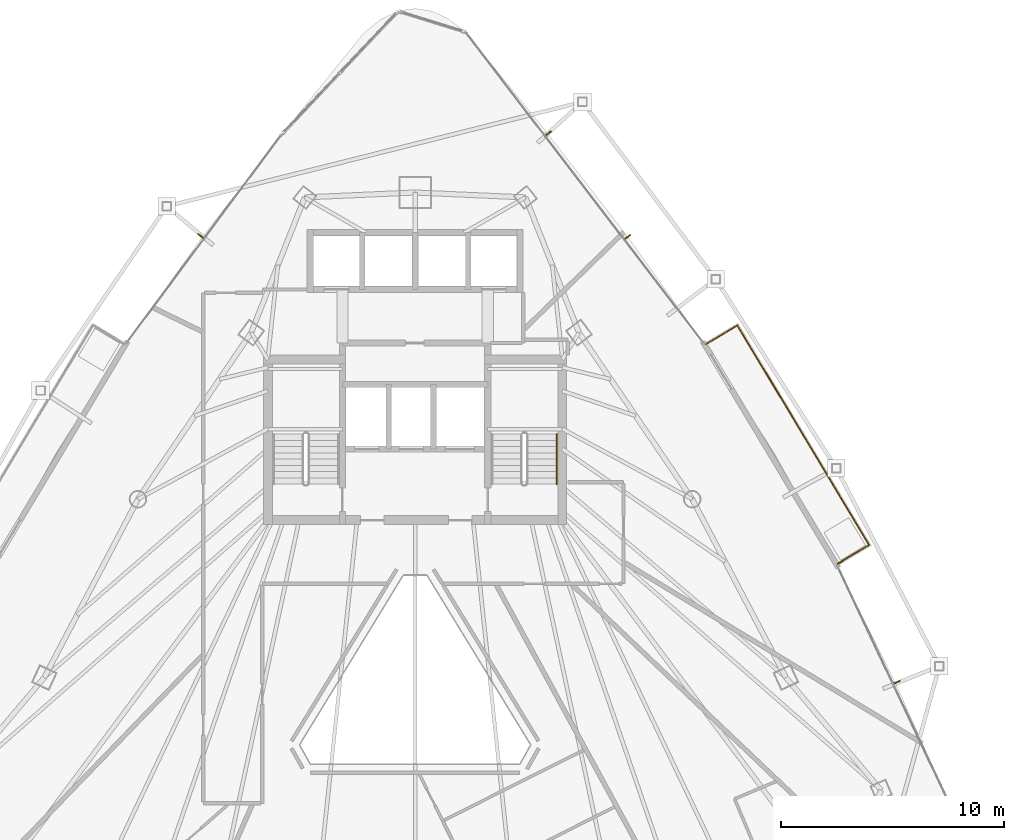
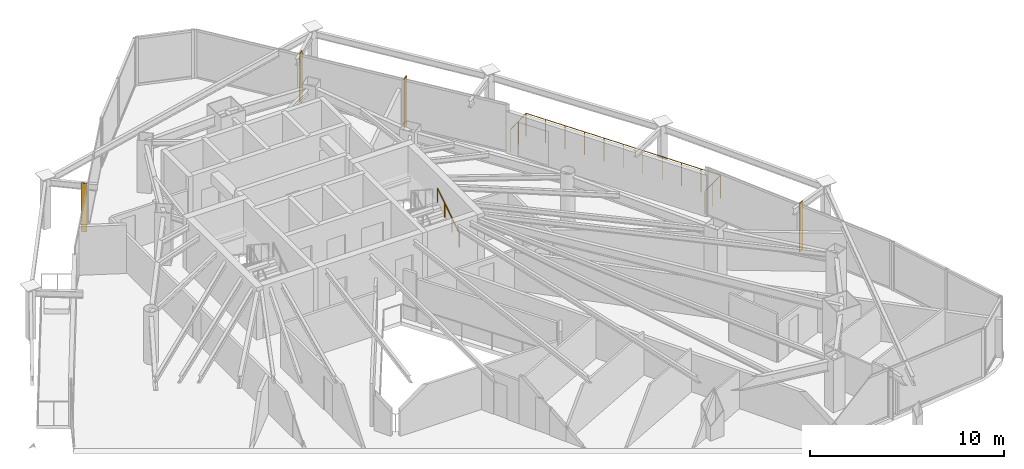
# One storey, part 31 of 31: 4 shading devices, 2 railings.
"""IFC4 building model written with IfcOpenShell, lengths in metres."""

from ifc_helpers import new_model, si_unit, direction, frame, origin, origin_2d, place, context, subcontext, project, spatial, rectangle, circle, extrude, material, layer, layer_set, type_object, element, save


model = new_model("IFC4")

# Units and contexts
model_context = context("Model", 3, precision=1e-05, world=origin(), true_north=direction((0.0, 1.0)))
body_context = subcontext(model_context, "Body", "Model", "MODEL_VIEW")
ifc_project = project(units=[si_unit("LENGTHUNIT", "METRE"), si_unit("AREAUNIT", "SQUARE_METRE"), si_unit("VOLUMEUNIT", "CUBIC_METRE"), si_unit("PLANEANGLEUNIT", "RADIAN"), si_unit("MASSUNIT", "GRAM", prefix="KILO")], contexts=[model_context])

# Site, building, storey
site_placement = place(None, origin())
site = spatial("IfcSite", under=ifc_project, at=site_placement, CompositionType="ELEMENT")
building_placement = place(site_placement, origin())
building = spatial("IfcBuilding", under=site, at=building_placement, Name="Orvanel Arch Residences", CompositionType="ELEMENT")
storey_placement = place(building_placement, frame((0.0, 0.0, 113.300048828125)))
storey = spatial("IfcBuildingStorey", under=building, at=storey_placement, Name="L31", CompositionType="ELEMENT", Elevation=113.300048828125)

# Shading devices
ifc_material_1 = material(Name="Bronze-anodised aluminium AA6063-T6", Category="aluminium")
ifc_layer = layer(ifc_material_1, 0.054931640625)
ifc_layer_set = layer_set([ifc_layer], Name="Bronze-anodised aluminium AA6063-T6")
shading_device_type = type_object("IfcShadingDeviceType", Name="FIN-BRZ-320", PredefinedType="USERDEFINED", material=ifc_layer_set)
for number, where, z_axis, x_axis, name in (
    (1, (23.388916015625, 39.44091796875, 0.0), (0.0, 0.0, 1.0), (-0.801775644244, 0.597625146976, 0.0), "L31 Anodised Bronze Mullion FIN 01"),
    (2, (54.614013671875, 19.430908203125, 0.0), (0.0, 0.0, 1.0), (0.904082549661, 0.427357863387, 0.0), "L31 Anodised Bronze Mullion FIN 01"),
    (3, (42.535888671875, 39.406982421875, 0.0), (0.0, 0.0, 1.0), (0.794414620535, 0.607375839723, 0.0), "L31 Anodised Bronze Mullion FIN 01"),
    (4, (38.98095703125, 44.050048828125, 0.0), (0.0, 0.0, 1.0), (0.794414620535, 0.607375839723, 0.0), "L31 Anodised Bronze Mullion FIN 02"),
):
    element("IfcShadingDevice", number, at=place(storey_placement, frame(where, z_axis=z_axis, x_axis=x_axis)), inside=storey, type_object=shading_device_type, Name=name, ObjectType="FIN", PredefinedType="USERDEFINED", context=body_context, shape_type="SweptSolid", body=[
        extrude(rectangle(XDim=0.320068359375, YDim=0.054931640625, at=origin_2d()), origin(), (0.0, 0.0, 1.0), 3.06005859375),
    ])

# Railings
railing_type_1 = type_object("IfcRailingType", Name="RL-BAL-1480", PredefinedType="BALUSTRADE", material=ifc_material_1)
railing_1_placement = place(storey_placement, frame((51.95703125, 24.743896484375, 0.0)))
element("IfcRailing", 5, at=railing_1_placement, inside=storey, type_object=railing_type_1, Name="L31 Balcony Perimeter Guardrail Face 3", PredefinedType="BALUSTRADE", context=body_context, shape_type="SweptSolid", body=[
    extrude(circle(Radius=0.02392578125, at=origin_2d()), frame((0.001220703125, 0.000732421875, 1.4560546875), z_axis=(0.857545439568, 0.514408222208, 0.0), x_axis=(-0.514408222208, 0.857545439568, 0.0)), (0.0, 0.0, 1.0), 1.6376953125),
    extrude(circle(Radius=0.02392578125, at=origin_2d()), frame((1.40625, 0.84521484375, 1.4560546875), z_axis=(-0.514411375866, 0.857543547804, 0.0), x_axis=(-0.857543547804, -0.514411375866, 0.0)), (0.0, 0.0, 1.0), 11.485595703125),
    extrude(circle(Radius=0.02392578125, at=origin_2d()), frame((-4.504150390625, 10.6953125, 1.4560546875), z_axis=(-0.857387817543, -0.514670895164, 0.0), x_axis=(0.514670895164, -0.857387817543, 0.0)), (0.0, 0.0, 1.0), 1.636962890625),
    extrude(circle(Radius=0.02099609375, at=origin_2d()), origin(), (0.0, 0.0, 1.0), 1.429931640625),
    extrude(circle(Radius=0.02099609375, at=origin_2d()), frame((0.70361328125, 0.421875, 0.0)), (0.0, 0.0, 1.0), 1.429931640625),
    extrude(circle(Radius=0.02099609375, at=origin_2d()), frame((1.406982421875, 0.843994140625, 0.0)), (0.0, 0.0, 1.0), 1.429931640625),
    extrude(circle(Radius=0.02099609375, at=origin_2d()), frame((0.81591796875, 1.8291015625, 0.0)), (0.0, 0.0, 1.0), 1.429931640625),
    extrude(circle(Radius=0.02099609375, at=origin_2d()), frame((0.22509765625, 2.814453125, 0.0)), (0.0, 0.0, 1.0), 1.429931640625),
    extrude(circle(Radius=0.02099609375, at=origin_2d()), frame((-0.365966796875, 3.799560546875, 0.0)), (0.0, 0.0, 1.0), 1.429931640625),
    extrude(circle(Radius=0.02099609375, at=origin_2d()), frame((-0.95703125, 4.784912109375, 0.0)), (0.0, 0.0, 1.0), 1.429931640625),
    extrude(circle(Radius=0.02099609375, at=origin_2d()), frame((-1.5478515625, 5.77001953125, 0.0)), (0.0, 0.0, 1.0), 1.429931640625),
    extrude(circle(Radius=0.02099609375, at=origin_2d()), frame((-2.138916015625, 6.755126953125, 0.0)), (0.0, 0.0, 1.0), 1.429931640625),
    extrude(circle(Radius=0.02099609375, at=origin_2d()), frame((-2.72998046875, 7.740478515625, 0.0)), (0.0, 0.0, 1.0), 1.429931640625),
    extrude(circle(Radius=0.02099609375, at=origin_2d()), frame((-3.321044921875, 8.7255859375, 0.0)), (0.0, 0.0, 1.0), 1.429931640625),
    extrude(circle(Radius=0.02099609375, at=origin_2d()), frame((-3.911865234375, 9.7109375, 0.0)), (0.0, 0.0, 1.0), 1.429931640625),
    extrude(circle(Radius=0.02099609375, at=origin_2d()), frame((-4.5029296875, 10.696044921875, 0.0)), (0.0, 0.0, 1.0), 1.429931640625),
    extrude(circle(Radius=0.02099609375, at=origin_2d()), frame((-5.2060546875, 10.27392578125, 0.0)), (0.0, 0.0, 1.0), 1.429931640625),
    extrude(circle(Radius=0.02099609375, at=origin_2d()), frame((-5.908935546875, 9.85205078125, 0.0)), (0.0, 0.0, 1.0), 1.429931640625),
])
ifc_material_2 = material(Name="Structural steel AS/NZS 1163 C350L0 (Grade 350)", Category="steel")
railing_type_2 = type_object("IfcRailingType", Name="RL-STAIR-HAND", PredefinedType="HANDRAIL", material=ifc_material_2)
railing_2_placement = place(storey_placement, frame((39.35009765625, 28.320068359375, 0.183349609375)))
element("IfcRailing", 6, at=railing_2_placement, inside=storey, type_object=railing_type_2, Name="L31 ST-2 stair handrail 1", PredefinedType="HANDRAIL", context=body_context, shape_type="SweptSolid", body=[
    extrude(circle(Radius=0.02392578125, at=origin_2d()), frame((0.0, 0.001220703125, 0.876708984375), z_axis=(0.0, 0.836636935527, 0.547757827979), x_axis=(-1.0, 0.0, 0.0)), (0.0, 0.0, 1.0), 2.67431640625),
    extrude(circle(Radius=0.02099609375, at=origin_2d()), origin(), (0.0, 0.0, 1.0), 0.849853515625),
    extrude(circle(Radius=0.02099609375, at=origin_2d()), frame((0.0, 0.74658203125, 0.48876953125)), (0.0, 0.0, 1.0), 0.849853515625),
    extrude(circle(Radius=0.02099609375, at=origin_2d()), frame((0.0, 1.493408203125, 0.977783203125)), (0.0, 0.0, 1.0), 0.849853515625),
    extrude(circle(Radius=0.02099609375, at=origin_2d()), frame((0.0, 2.239990234375, 1.466552734375)), (0.0, 0.0, 1.0), 0.849853515625),
])

save(model, "model.ifc")
